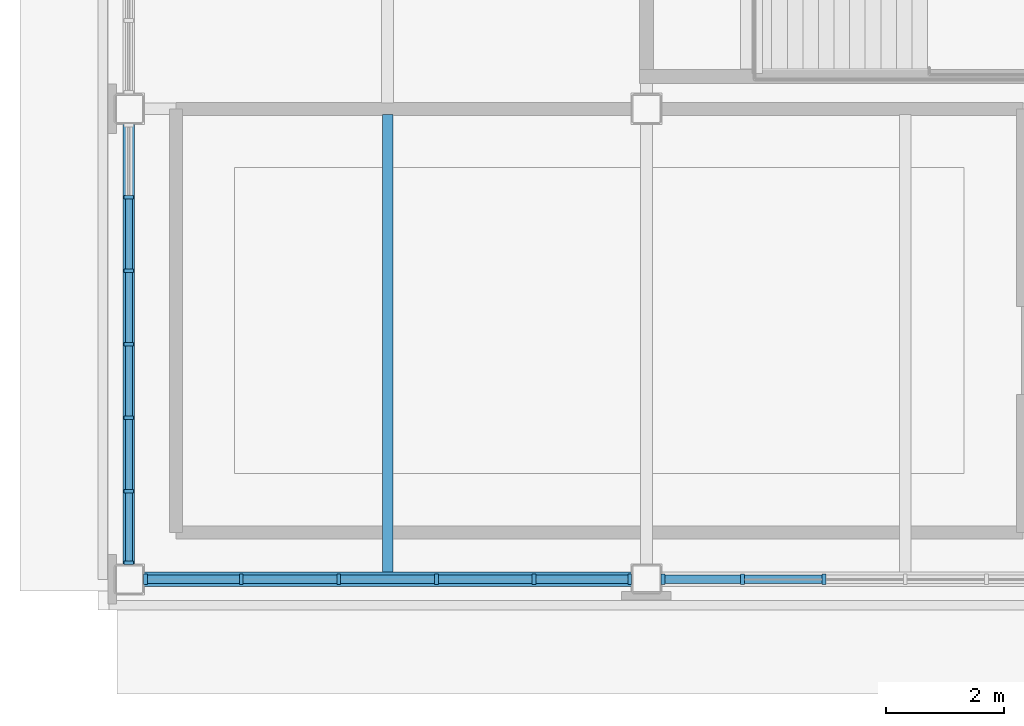
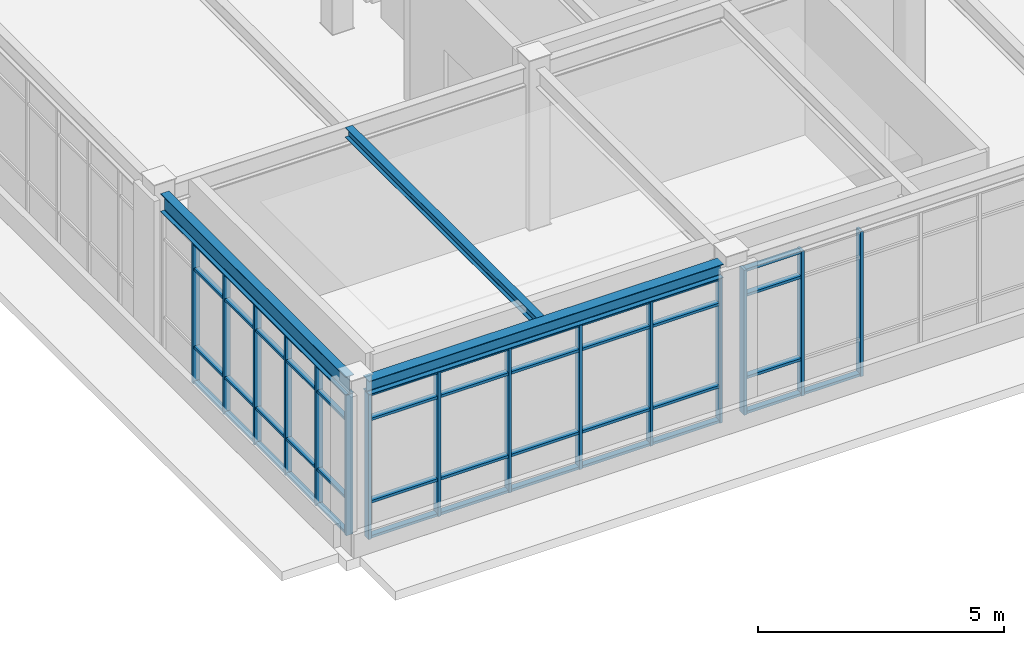
# One storey, part 2 of 22: 60 members, 3 beams, 3 elements without a shape of their own.
"""IFC4 building model written with IfcOpenShell, lengths in metres."""

from ifc_helpers import new_model, si_unit, direction, frame, origin, origin_2d, place, context, subcontext, project, spatial, rectangle, i_section, extrude, material, material_profile, profile_set, type_object, element, aggregate, save


model = new_model("IFC4")

# Units and contexts
model_context = context("Model", 3, precision=1e-05, world=origin(), true_north=direction((0.0, 1.0)))
body_context = subcontext(model_context, "Body", "Model", "MODEL_VIEW")
ifc_project = project(units=[si_unit("LENGTHUNIT", "METRE"), si_unit("AREAUNIT", "SQUARE_METRE"), si_unit("VOLUMEUNIT", "CUBIC_METRE"), si_unit("PLANEANGLEUNIT", "RADIAN"), si_unit("MASSUNIT", "GRAM", prefix="KILO")], contexts=[model_context])

# Site, building, storey
site_placement = place(None, origin())
site = spatial("IfcSite", under=ifc_project, at=site_placement, CompositionType="ELEMENT")
building_placement = place(site_placement, origin())
building = spatial("IfcBuilding", under=site, at=building_placement, Name="Zhaolan Boulevard Law Courts", CompositionType="ELEMENT")
storey_placement = place(building_placement, frame((0.0, 0.0, 28.800048828125)))
storey = spatial("IfcBuildingStorey", under=building, at=storey_placement, Name="L06", CompositionType="ELEMENT", Elevation=28.800048828125)

# Curtain wall, members
ifc_material_1 = material(Name="Thermally broken aluminium and low-E glazing", Category="aluminium")
curtain_wall_type_1 = type_object("IfcCurtainWallType", Name="CURTAIN WALL M13", PredefinedType="USERDEFINED", material=ifc_material_1)
curtain_wall_1_placement = place(storey_placement, origin())
curtain_wall_1 = element("IfcCurtainWall", 1, at=curtain_wall_1_placement, inside=storey, type_object=curtain_wall_type_1, Name="Curtain Wall CW-L06-229", ObjectType="CURTAIN WALL", PredefinedType="USERDEFINED")
ifc_material_2 = material(Name="Fluorocarbon-coated aluminium 6063-T6", Category="aluminium")
ifc_material_profile_1 = material_profile(ifc_material_2, rectangle(XDim=0.159912109375, YDim=0.06005859375, at=origin_2d()), Name="AL60x160")
ifc_profile_set_1 = profile_set([ifc_material_profile_1], Name="Fluorocarbon-coated aluminium 6063-T6")
member_type_1 = type_object("IfcMemberType", Name="CWMULLION 60X160", PredefinedType="MULLION", material=ifc_profile_set_1)
member_1_placement = place(storey_placement, frame((0.0, 36.498779296875, 0.0), z_axis=(0.0, 0.0, 1.0), x_axis=(1.0, 0.0, 0.0)))
member_1 = element("IfcMember", 2, at=member_1_placement, type_object=member_type_1, Name="CW-L06-229 mullion 2", PredefinedType="MULLION", context=body_context, shape_type="SweptSolid", body=[
    extrude(rectangle(XDim=0.159912109375, YDim=0.06005859375, at=origin_2d()), origin(), (0.0, 0.0, 1.0), 3.48291015625),
])
member_2_placement = place(storey_placement, frame((0.0, 35.249267578125, 0.0), z_axis=(0.0, 0.0, 1.0), x_axis=(1.0, 0.0, 0.0)))
member_2 = element("IfcMember", 3, at=member_2_placement, type_object=member_type_1, Name="CW-L06-229 mullion 3", PredefinedType="MULLION", context=body_context, shape_type="SweptSolid", body=[
    extrude(rectangle(XDim=0.159912109375, YDim=0.06005859375, at=origin_2d()), origin(), (0.0, 0.0, 1.0), 3.48291015625),
])
member_3_placement = place(storey_placement, frame((0.0, 34.0, 0.0), z_axis=(0.0, 0.0, 1.0), x_axis=(1.0, 0.0, 0.0)))
member_3 = element("IfcMember", 4, at=member_3_placement, type_object=member_type_1, Name="CW-L06-229 mullion 4", PredefinedType="MULLION", context=body_context, shape_type="SweptSolid", body=[
    extrude(rectangle(XDim=0.159912109375, YDim=0.06005859375, at=origin_2d()), origin(), (0.0, 0.0, 1.0), 3.48291015625),
])
member_4_placement = place(storey_placement, frame((0.0, 32.750732421875, 0.0), z_axis=(0.0, 0.0, 1.0), x_axis=(1.0, 0.0, 0.0)))
member_4 = element("IfcMember", 5, at=member_4_placement, type_object=member_type_1, Name="CW-L06-229 mullion 5", PredefinedType="MULLION", context=body_context, shape_type="SweptSolid", body=[
    extrude(rectangle(XDim=0.159912109375, YDim=0.06005859375, at=origin_2d()), origin(), (0.0, 0.0, 1.0), 3.48291015625),
])
member_5_placement = place(storey_placement, frame((0.0, 31.501220703125, 0.0), z_axis=(0.0, 0.0, 1.0), x_axis=(1.0, 0.0, 0.0)))
member_5 = element("IfcMember", 6, at=member_5_placement, type_object=member_type_1, Name="CW-L06-229 mullion 6", PredefinedType="MULLION", context=body_context, shape_type="SweptSolid", body=[
    extrude(rectangle(XDim=0.159912109375, YDim=0.06005859375, at=origin_2d()), origin(), (0.0, 0.0, 1.0), 3.48291015625),
])
member_6_placement = place(storey_placement, frame((0.0, 30.281982421875, 0.0), z_axis=(0.0, 0.0, 1.0), x_axis=(1.0, 0.0, 0.0)))
member_6 = element("IfcMember", 7, at=member_6_placement, type_object=member_type_1, Name="CW-L06-229 mullion 7", PredefinedType="MULLION", context=body_context, shape_type="SweptSolid", body=[
    extrude(rectangle(XDim=0.159912109375, YDim=0.06005859375, at=origin_2d()), origin(), (0.0, 0.0, 1.0), 3.48291015625),
])

ifc_material_3 = material(Name="Thermally broken aluminium and low-E glazing", Category="aluminium")
curtain_wall_type_2 = type_object("IfcCurtainWallType", Name="CURTAIN WALL M8", PredefinedType="USERDEFINED", material=ifc_material_3)
curtain_wall_2_placement = place(storey_placement, origin())
curtain_wall_2 = element("IfcCurtainWall", 8, at=curtain_wall_2_placement, inside=storey, type_object=curtain_wall_type_2, Name="Curtain Wall CW-L06-224", ObjectType="CURTAIN WALL", PredefinedType="USERDEFINED")
ifc_material_4 = material(Name="Fluorocarbon-coated aluminium 6063-T6", Category="aluminium")
ifc_material_profile_2 = material_profile(ifc_material_4, rectangle(XDim=0.179931640625, YDim=0.06494140625, at=origin_2d()), Name="AL65x180")
ifc_profile_set_2 = profile_set([ifc_material_profile_2], Name="Fluorocarbon-coated aluminium 6063-T6")
member_type_2 = type_object("IfcMemberType", Name="CWMULLION 65X180", PredefinedType="MULLION", material=ifc_profile_set_2)
member_7_placement = place(storey_placement, frame((0.284423828125, 30.0, 0.0), z_axis=(0.0, 0.0, 1.0), x_axis=(0.0, 1.0, 0.0)))
member_7 = element("IfcMember", 9, at=member_7_placement, type_object=member_type_2, Name="CW-L06-224 mullion 1", PredefinedType="MULLION", context=body_context, shape_type="SweptSolid", body=[
    extrude(rectangle(XDim=0.179931640625, YDim=0.06494140625, at=origin_2d()), origin(), (0.0, 0.0, 1.0), 3.593017578125),
])
member_8_placement = place(storey_placement, frame((1.9111328125, 30.0, 0.0), z_axis=(0.0, 0.0, 1.0), x_axis=(0.0, 1.0, 0.0)))
member_8 = element("IfcMember", 10, at=member_8_placement, type_object=member_type_2, Name="CW-L06-224 mullion 2", PredefinedType="MULLION", context=body_context, shape_type="SweptSolid", body=[
    extrude(rectangle(XDim=0.179931640625, YDim=0.06494140625, at=origin_2d()), origin(), (0.0, 0.0, 1.0), 3.593017578125),
])
member_9_placement = place(storey_placement, frame((3.5703125, 30.0, 0.0), z_axis=(0.0, 0.0, 1.0), x_axis=(0.0, 1.0, 0.0)))
member_9 = element("IfcMember", 11, at=member_9_placement, type_object=member_type_2, Name="CW-L06-224 mullion 3", PredefinedType="MULLION", context=body_context, shape_type="SweptSolid", body=[
    extrude(rectangle(XDim=0.179931640625, YDim=0.06494140625, at=origin_2d()), origin(), (0.0, 0.0, 1.0), 3.593017578125),
])
member_10_placement = place(storey_placement, frame((5.2294921875, 30.0, 0.0), z_axis=(0.0, 0.0, 1.0), x_axis=(0.0, 1.0, 0.0)))
member_10 = element("IfcMember", 12, at=member_10_placement, type_object=member_type_2, Name="CW-L06-224 mullion 4", PredefinedType="MULLION", context=body_context, shape_type="SweptSolid", body=[
    extrude(rectangle(XDim=0.179931640625, YDim=0.06494140625, at=origin_2d()), origin(), (0.0, 0.0, 1.0), 3.593017578125),
])
member_11_placement = place(storey_placement, frame((6.888916015625, 30.0, 0.0), z_axis=(0.0, 0.0, 1.0), x_axis=(0.0, 1.0, 0.0)))
member_11 = element("IfcMember", 13, at=member_11_placement, type_object=member_type_2, Name="CW-L06-224 mullion 5", PredefinedType="MULLION", context=body_context, shape_type="SweptSolid", body=[
    extrude(rectangle(XDim=0.179931640625, YDim=0.06494140625, at=origin_2d()), origin(), (0.0, 0.0, 1.0), 3.593017578125),
])
member_12_placement = place(storey_placement, frame((8.515380859375, 30.0, 0.0), z_axis=(0.0, 0.0, 1.0), x_axis=(0.0, 1.0, 0.0)))
member_12 = element("IfcMember", 14, at=member_12_placement, type_object=member_type_2, Name="CW-L06-224 mullion 6", PredefinedType="MULLION", context=body_context, shape_type="SweptSolid", body=[
    extrude(rectangle(XDim=0.179931640625, YDim=0.06494140625, at=origin_2d()), origin(), (0.0, 0.0, 1.0), 3.593017578125),
])

ifc_material_5 = material(Name="Thermally broken aluminium and low-E glazing", Category="aluminium")
curtain_wall_type_3 = type_object("IfcCurtainWallType", Name="CURTAIN WALL M9", PredefinedType="USERDEFINED", material=ifc_material_5)
curtain_wall_3_placement = place(storey_placement, origin())
curtain_wall_3 = element("IfcCurtainWall", 15, at=curtain_wall_3_placement, inside=storey, type_object=curtain_wall_type_3, Name="Curtain Wall CW-L06-225", ObjectType="CURTAIN WALL", PredefinedType="USERDEFINED")
member_13_placement = place(storey_placement, frame((9.08447265625, 30.0, 0.0), z_axis=(0.0, 0.0, 1.0), x_axis=(0.0, 1.0, 0.0)))
member_13 = element("IfcMember", 16, at=member_13_placement, type_object=member_type_2, Name="CW-L06-225 mullion 1", PredefinedType="MULLION", context=body_context, shape_type="SweptSolid", body=[
    extrude(rectangle(XDim=0.179931640625, YDim=0.06494140625, at=origin_2d()), origin(), (0.0, 0.0, 1.0), 3.593017578125),
])
member_14_placement = place(storey_placement, frame((10.4345703125, 30.0, 0.0), z_axis=(0.0, 0.0, 1.0), x_axis=(0.0, 1.0, 0.0)))
member_14 = element("IfcMember", 17, at=member_14_placement, type_object=member_type_2, Name="CW-L06-225 mullion 2", PredefinedType="MULLION", context=body_context, shape_type="SweptSolid", body=[
    extrude(rectangle(XDim=0.179931640625, YDim=0.06494140625, at=origin_2d()), origin(), (0.0, 0.0, 1.0), 3.593017578125),
])
member_15_placement = place(storey_placement, frame((11.8173828125, 30.0, 0.0), z_axis=(0.0, 0.0, 1.0), x_axis=(0.0, 1.0, 0.0)))
member_15 = element("IfcMember", 18, at=member_15_placement, type_object=member_type_2, Name="CW-L06-225 mullion 3", PredefinedType="MULLION", context=body_context, shape_type="SweptSolid", body=[
    extrude(rectangle(XDim=0.179931640625, YDim=0.06494140625, at=origin_2d()), origin(), (0.0, 0.0, 1.0), 3.593017578125),
])

# Member
ifc_material_6 = material(Name="Fluorocarbon-coated aluminium 6063-T6", Category="aluminium")
ifc_material_profile_3 = material_profile(ifc_material_6, rectangle(XDim=0.1201171875, YDim=0.06005859375, at=origin_2d()), Name="AL60x120")
ifc_profile_set_3 = profile_set([ifc_material_profile_3], Name="Fluorocarbon-coated aluminium 6063-T6")
member_type_3 = type_object("IfcMemberType", Name="CWTRANSOM 60X120", PredefinedType="USERDEFINED", material=ifc_profile_set_3)
member_16_placement = place(storey_placement, frame((0.0, 36.46875, 0.030029296875), z_axis=(0.0, -1.0, 0.0), x_axis=(1.0, 0.0, 0.0)))
member_16 = element("IfcMember", 19, at=member_16_placement, type_object=member_type_3, Name="CW-L06-229 transom 2.1", ObjectType="TRANSOM", PredefinedType="USERDEFINED", context=body_context, shape_type="SweptSolid", body=[
    extrude(rectangle(XDim=0.1201171875, YDim=0.06005859375, at=origin_2d()), origin(), (0.0, 0.0, 1.0), 1.189453125),
])

member_17_placement = place(storey_placement, frame((0.0, 36.46875, 0.89990234375), z_axis=(0.0, -1.0, 0.0), x_axis=(1.0, 0.0, 0.0)))
member_17 = element("IfcMember", 20, at=member_17_placement, type_object=member_type_3, Name="CW-L06-229 transom 2.2", ObjectType="TRANSOM", PredefinedType="USERDEFINED", context=body_context, shape_type="SweptSolid", body=[
    extrude(rectangle(XDim=0.1201171875, YDim=0.06005859375, at=origin_2d()), origin(), (0.0, 0.0, 1.0), 1.189453125),
])

member_18_placement = place(storey_placement, frame((0.0, 36.46875, 2.8330078125), z_axis=(0.0, -1.0, 0.0), x_axis=(1.0, 0.0, 0.0)))
member_18 = element("IfcMember", 21, at=member_18_placement, type_object=member_type_3, Name="CW-L06-229 transom 2.3", ObjectType="TRANSOM", PredefinedType="USERDEFINED", context=body_context, shape_type="SweptSolid", body=[
    extrude(rectangle(XDim=0.1201171875, YDim=0.06005859375, at=origin_2d()), origin(), (0.0, 0.0, 1.0), 1.189453125),
])

member_19_placement = place(storey_placement, frame((0.0, 36.46875, 3.452880859375), z_axis=(0.0, -1.0, 0.0), x_axis=(1.0, 0.0, 0.0)))
member_19 = element("IfcMember", 22, at=member_19_placement, type_object=member_type_3, Name="CW-L06-229 transom 2.4", ObjectType="TRANSOM", PredefinedType="USERDEFINED", context=body_context, shape_type="SweptSolid", body=[
    extrude(rectangle(XDim=0.1201171875, YDim=0.06005859375, at=origin_2d()), origin(), (0.0, 0.0, 1.0), 1.189453125),
])

member_20_placement = place(storey_placement, frame((0.0, 35.21923828125, 0.030029296875), z_axis=(0.0, -1.0, 0.0), x_axis=(1.0, 0.0, 0.0)))
member_20 = element("IfcMember", 23, at=member_20_placement, type_object=member_type_3, Name="CW-L06-229 transom 3.1", ObjectType="TRANSOM", PredefinedType="USERDEFINED", context=body_context, shape_type="SweptSolid", body=[
    extrude(rectangle(XDim=0.1201171875, YDim=0.06005859375, at=origin_2d()), origin(), (0.0, 0.0, 1.0), 1.189208984375),
])

member_21_placement = place(storey_placement, frame((0.0, 35.21923828125, 0.89990234375), z_axis=(0.0, -1.0, 0.0), x_axis=(1.0, 0.0, 0.0)))
member_21 = element("IfcMember", 24, at=member_21_placement, type_object=member_type_3, Name="CW-L06-229 transom 3.2", ObjectType="TRANSOM", PredefinedType="USERDEFINED", context=body_context, shape_type="SweptSolid", body=[
    extrude(rectangle(XDim=0.1201171875, YDim=0.06005859375, at=origin_2d()), origin(), (0.0, 0.0, 1.0), 1.189208984375),
])

member_22_placement = place(storey_placement, frame((0.0, 35.21923828125, 2.8330078125), z_axis=(0.0, -1.0, 0.0), x_axis=(1.0, 0.0, 0.0)))
member_22 = element("IfcMember", 25, at=member_22_placement, type_object=member_type_3, Name="CW-L06-229 transom 3.3", ObjectType="TRANSOM", PredefinedType="USERDEFINED", context=body_context, shape_type="SweptSolid", body=[
    extrude(rectangle(XDim=0.1201171875, YDim=0.06005859375, at=origin_2d()), origin(), (0.0, 0.0, 1.0), 1.189208984375),
])

member_23_placement = place(storey_placement, frame((0.0, 35.21923828125, 3.452880859375), z_axis=(0.0, -1.0, 0.0), x_axis=(1.0, 0.0, 0.0)))
member_23 = element("IfcMember", 26, at=member_23_placement, type_object=member_type_3, Name="CW-L06-229 transom 3.4", ObjectType="TRANSOM", PredefinedType="USERDEFINED", context=body_context, shape_type="SweptSolid", body=[
    extrude(rectangle(XDim=0.1201171875, YDim=0.06005859375, at=origin_2d()), origin(), (0.0, 0.0, 1.0), 1.189208984375),
])

member_24_placement = place(storey_placement, frame((0.0, 33.969970703125, 0.030029296875), z_axis=(0.0, -1.0, 0.0), x_axis=(1.0, 0.0, 0.0)))
member_24 = element("IfcMember", 27, at=member_24_placement, type_object=member_type_3, Name="CW-L06-229 transom 4.1", ObjectType="TRANSOM", PredefinedType="USERDEFINED", context=body_context, shape_type="SweptSolid", body=[
    extrude(rectangle(XDim=0.1201171875, YDim=0.06005859375, at=origin_2d()), origin(), (0.0, 0.0, 1.0), 1.189208984375),
])

member_25_placement = place(storey_placement, frame((0.0, 33.969970703125, 0.89990234375), z_axis=(0.0, -1.0, 0.0), x_axis=(1.0, 0.0, 0.0)))
member_25 = element("IfcMember", 28, at=member_25_placement, type_object=member_type_3, Name="CW-L06-229 transom 4.2", ObjectType="TRANSOM", PredefinedType="USERDEFINED", context=body_context, shape_type="SweptSolid", body=[
    extrude(rectangle(XDim=0.1201171875, YDim=0.06005859375, at=origin_2d()), origin(), (0.0, 0.0, 1.0), 1.189208984375),
])

member_26_placement = place(storey_placement, frame((0.0, 33.969970703125, 2.8330078125), z_axis=(0.0, -1.0, 0.0), x_axis=(1.0, 0.0, 0.0)))
member_26 = element("IfcMember", 29, at=member_26_placement, type_object=member_type_3, Name="CW-L06-229 transom 4.3", ObjectType="TRANSOM", PredefinedType="USERDEFINED", context=body_context, shape_type="SweptSolid", body=[
    extrude(rectangle(XDim=0.1201171875, YDim=0.06005859375, at=origin_2d()), origin(), (0.0, 0.0, 1.0), 1.189208984375),
])

member_27_placement = place(storey_placement, frame((0.0, 33.969970703125, 3.452880859375), z_axis=(0.0, -1.0, 0.0), x_axis=(1.0, 0.0, 0.0)))
member_27 = element("IfcMember", 30, at=member_27_placement, type_object=member_type_3, Name="CW-L06-229 transom 4.4", ObjectType="TRANSOM", PredefinedType="USERDEFINED", context=body_context, shape_type="SweptSolid", body=[
    extrude(rectangle(XDim=0.1201171875, YDim=0.06005859375, at=origin_2d()), origin(), (0.0, 0.0, 1.0), 1.189208984375),
])

member_28_placement = place(storey_placement, frame((0.0, 32.720703125, 0.030029296875), z_axis=(0.0, -1.0, 0.0), x_axis=(1.0, 0.0, 0.0)))
member_28 = element("IfcMember", 31, at=member_28_placement, type_object=member_type_3, Name="CW-L06-229 transom 5.1", ObjectType="TRANSOM", PredefinedType="USERDEFINED", context=body_context, shape_type="SweptSolid", body=[
    extrude(rectangle(XDim=0.1201171875, YDim=0.06005859375, at=origin_2d()), origin(), (0.0, 0.0, 1.0), 1.189453125),
])

member_29_placement = place(storey_placement, frame((0.0, 32.720703125, 0.89990234375), z_axis=(0.0, -1.0, 0.0), x_axis=(1.0, 0.0, 0.0)))
member_29 = element("IfcMember", 32, at=member_29_placement, type_object=member_type_3, Name="CW-L06-229 transom 5.2", ObjectType="TRANSOM", PredefinedType="USERDEFINED", context=body_context, shape_type="SweptSolid", body=[
    extrude(rectangle(XDim=0.1201171875, YDim=0.06005859375, at=origin_2d()), origin(), (0.0, 0.0, 1.0), 1.189453125),
])

member_30_placement = place(storey_placement, frame((0.0, 32.720703125, 2.8330078125), z_axis=(0.0, -1.0, 0.0), x_axis=(1.0, 0.0, 0.0)))
member_30 = element("IfcMember", 33, at=member_30_placement, type_object=member_type_3, Name="CW-L06-229 transom 5.3", ObjectType="TRANSOM", PredefinedType="USERDEFINED", context=body_context, shape_type="SweptSolid", body=[
    extrude(rectangle(XDim=0.1201171875, YDim=0.06005859375, at=origin_2d()), origin(), (0.0, 0.0, 1.0), 1.189453125),
])

member_31_placement = place(storey_placement, frame((0.0, 32.720703125, 3.452880859375), z_axis=(0.0, -1.0, 0.0), x_axis=(1.0, 0.0, 0.0)))
member_31 = element("IfcMember", 34, at=member_31_placement, type_object=member_type_3, Name="CW-L06-229 transom 5.4", ObjectType="TRANSOM", PredefinedType="USERDEFINED", context=body_context, shape_type="SweptSolid", body=[
    extrude(rectangle(XDim=0.1201171875, YDim=0.06005859375, at=origin_2d()), origin(), (0.0, 0.0, 1.0), 1.189453125),
])

member_32_placement = place(storey_placement, frame((0.0, 31.471435546875, 0.030029296875), z_axis=(0.0, -1.0, 0.0), x_axis=(1.0, 0.0, 0.0)))
member_32 = element("IfcMember", 35, at=member_32_placement, type_object=member_type_3, Name="CW-L06-229 transom 6.1", ObjectType="TRANSOM", PredefinedType="USERDEFINED", context=body_context, shape_type="SweptSolid", body=[
    extrude(rectangle(XDim=0.1201171875, YDim=0.06005859375, at=origin_2d()), origin(), (0.0, 0.0, 1.0), 1.159423828125),
])

member_33_placement = place(storey_placement, frame((0.0, 31.471435546875, 0.89990234375), z_axis=(0.0, -1.0, 0.0), x_axis=(1.0, 0.0, 0.0)))
member_33 = element("IfcMember", 36, at=member_33_placement, type_object=member_type_3, Name="CW-L06-229 transom 6.2", ObjectType="TRANSOM", PredefinedType="USERDEFINED", context=body_context, shape_type="SweptSolid", body=[
    extrude(rectangle(XDim=0.1201171875, YDim=0.06005859375, at=origin_2d()), origin(), (0.0, 0.0, 1.0), 1.159423828125),
])

member_34_placement = place(storey_placement, frame((0.0, 31.471435546875, 2.8330078125), z_axis=(0.0, -1.0, 0.0), x_axis=(1.0, 0.0, 0.0)))
member_34 = element("IfcMember", 37, at=member_34_placement, type_object=member_type_3, Name="CW-L06-229 transom 6.3", ObjectType="TRANSOM", PredefinedType="USERDEFINED", context=body_context, shape_type="SweptSolid", body=[
    extrude(rectangle(XDim=0.1201171875, YDim=0.06005859375, at=origin_2d()), origin(), (0.0, 0.0, 1.0), 1.159423828125),
])

member_35_placement = place(storey_placement, frame((0.0, 31.471435546875, 3.452880859375), z_axis=(0.0, -1.0, 0.0), x_axis=(1.0, 0.0, 0.0)))
member_35 = element("IfcMember", 38, at=member_35_placement, type_object=member_type_3, Name="CW-L06-229 transom 6.4", ObjectType="TRANSOM", PredefinedType="USERDEFINED", context=body_context, shape_type="SweptSolid", body=[
    extrude(rectangle(XDim=0.1201171875, YDim=0.06005859375, at=origin_2d()), origin(), (0.0, 0.0, 1.0), 1.159423828125),
])

aggregate(curtain_wall_1, [member_1, member_2, member_3, member_4, member_5, member_6, member_16, member_17, member_18, member_19, member_20, member_21, member_22, member_23, member_24, member_25, member_26, member_27, member_28, member_29, member_30, member_31, member_32, member_33, member_34, member_35])

ifc_material_7 = material(Name="Fluorocarbon-coated aluminium 6063-T6", Category="aluminium")
ifc_material_profile_4 = material_profile(ifc_material_7, rectangle(XDim=0.139892578125, YDim=0.06494140625, at=origin_2d()), Name="AL65x140")
ifc_profile_set_4 = profile_set([ifc_material_profile_4], Name="Fluorocarbon-coated aluminium 6063-T6")
member_type_4 = type_object("IfcMemberType", Name="CWTRANSOM 65X140", PredefinedType="USERDEFINED", material=ifc_profile_set_4)
member_36_placement = place(storey_placement, frame((0.31689453125, 30.0, 0.032470703125), z_axis=(1.0, 0.0, 0.0), x_axis=(0.0, 1.0, 0.0)))
member_36 = element("IfcMember", 39, at=member_36_placement, type_object=member_type_4, Name="CW-L06-224 transom 1.1", ObjectType="TRANSOM", PredefinedType="USERDEFINED", context=body_context, shape_type="SweptSolid", body=[
    extrude(rectangle(XDim=0.139892578125, YDim=0.06494140625, at=origin_2d()), origin(), (0.0, 0.0, 1.0), 1.561767578125),
])

member_37_placement = place(storey_placement, frame((0.31689453125, 30.0, 0.89990234375), z_axis=(1.0, 0.0, 0.0), x_axis=(0.0, 1.0, 0.0)))
member_37 = element("IfcMember", 40, at=member_37_placement, type_object=member_type_4, Name="CW-L06-224 transom 1.2", ObjectType="TRANSOM", PredefinedType="USERDEFINED", context=body_context, shape_type="SweptSolid", body=[
    extrude(rectangle(XDim=0.139892578125, YDim=0.06494140625, at=origin_2d()), origin(), (0.0, 0.0, 1.0), 1.561767578125),
])

member_38_placement = place(storey_placement, frame((0.31689453125, 30.0, 2.94287109375), z_axis=(1.0, 0.0, 0.0), x_axis=(0.0, 1.0, 0.0)))
member_38 = element("IfcMember", 41, at=member_38_placement, type_object=member_type_4, Name="CW-L06-224 transom 1.3", ObjectType="TRANSOM", PredefinedType="USERDEFINED", context=body_context, shape_type="SweptSolid", body=[
    extrude(rectangle(XDim=0.139892578125, YDim=0.06494140625, at=origin_2d()), origin(), (0.0, 0.0, 1.0), 1.561767578125),
])

member_39_placement = place(storey_placement, frame((0.31689453125, 30.0, 3.560546875), z_axis=(1.0, 0.0, 0.0), x_axis=(0.0, 1.0, 0.0)))
member_39 = element("IfcMember", 42, at=member_39_placement, type_object=member_type_4, Name="CW-L06-224 transom 1.4", ObjectType="TRANSOM", PredefinedType="USERDEFINED", context=body_context, shape_type="SweptSolid", body=[
    extrude(rectangle(XDim=0.139892578125, YDim=0.06494140625, at=origin_2d()), origin(), (0.0, 0.0, 1.0), 1.561767578125),
])

member_40_placement = place(storey_placement, frame((1.943603515625, 30.0, 0.032470703125), z_axis=(1.0, 0.0, 0.0), x_axis=(0.0, 1.0, 0.0)))
member_40 = element("IfcMember", 43, at=member_40_placement, type_object=member_type_4, Name="CW-L06-224 transom 2.1", ObjectType="TRANSOM", PredefinedType="USERDEFINED", context=body_context, shape_type="SweptSolid", body=[
    extrude(rectangle(XDim=0.139892578125, YDim=0.06494140625, at=origin_2d()), origin(), (0.0, 0.0, 1.0), 1.59423828125),
])

member_41_placement = place(storey_placement, frame((1.943603515625, 30.0, 0.89990234375), z_axis=(1.0, 0.0, 0.0), x_axis=(0.0, 1.0, 0.0)))
member_41 = element("IfcMember", 44, at=member_41_placement, type_object=member_type_4, Name="CW-L06-224 transom 2.2", ObjectType="TRANSOM", PredefinedType="USERDEFINED", context=body_context, shape_type="SweptSolid", body=[
    extrude(rectangle(XDim=0.139892578125, YDim=0.06494140625, at=origin_2d()), origin(), (0.0, 0.0, 1.0), 1.59423828125),
])

member_42_placement = place(storey_placement, frame((1.943603515625, 30.0, 2.94287109375), z_axis=(1.0, 0.0, 0.0), x_axis=(0.0, 1.0, 0.0)))
member_42 = element("IfcMember", 45, at=member_42_placement, type_object=member_type_4, Name="CW-L06-224 transom 2.3", ObjectType="TRANSOM", PredefinedType="USERDEFINED", context=body_context, shape_type="SweptSolid", body=[
    extrude(rectangle(XDim=0.139892578125, YDim=0.06494140625, at=origin_2d()), origin(), (0.0, 0.0, 1.0), 1.59423828125),
])

member_43_placement = place(storey_placement, frame((1.943603515625, 30.0, 3.560546875), z_axis=(1.0, 0.0, 0.0), x_axis=(0.0, 1.0, 0.0)))
member_43 = element("IfcMember", 46, at=member_43_placement, type_object=member_type_4, Name="CW-L06-224 transom 2.4", ObjectType="TRANSOM", PredefinedType="USERDEFINED", context=body_context, shape_type="SweptSolid", body=[
    extrude(rectangle(XDim=0.139892578125, YDim=0.06494140625, at=origin_2d()), origin(), (0.0, 0.0, 1.0), 1.59423828125),
])

member_44_placement = place(storey_placement, frame((3.602783203125, 30.0, 0.032470703125), z_axis=(1.0, 0.0, 0.0), x_axis=(0.0, 1.0, 0.0)))
member_44 = element("IfcMember", 47, at=member_44_placement, type_object=member_type_4, Name="CW-L06-224 transom 3.1", ObjectType="TRANSOM", PredefinedType="USERDEFINED", context=body_context, shape_type="SweptSolid", body=[
    extrude(rectangle(XDim=0.139892578125, YDim=0.06494140625, at=origin_2d()), origin(), (0.0, 0.0, 1.0), 1.59423828125),
])

member_45_placement = place(storey_placement, frame((3.602783203125, 30.0, 0.89990234375), z_axis=(1.0, 0.0, 0.0), x_axis=(0.0, 1.0, 0.0)))
member_45 = element("IfcMember", 48, at=member_45_placement, type_object=member_type_4, Name="CW-L06-224 transom 3.2", ObjectType="TRANSOM", PredefinedType="USERDEFINED", context=body_context, shape_type="SweptSolid", body=[
    extrude(rectangle(XDim=0.139892578125, YDim=0.06494140625, at=origin_2d()), origin(), (0.0, 0.0, 1.0), 1.59423828125),
])

member_46_placement = place(storey_placement, frame((3.602783203125, 30.0, 2.94287109375), z_axis=(1.0, 0.0, 0.0), x_axis=(0.0, 1.0, 0.0)))
member_46 = element("IfcMember", 49, at=member_46_placement, type_object=member_type_4, Name="CW-L06-224 transom 3.3", ObjectType="TRANSOM", PredefinedType="USERDEFINED", context=body_context, shape_type="SweptSolid", body=[
    extrude(rectangle(XDim=0.139892578125, YDim=0.06494140625, at=origin_2d()), origin(), (0.0, 0.0, 1.0), 1.59423828125),
])

member_47_placement = place(storey_placement, frame((3.602783203125, 30.0, 3.560546875), z_axis=(1.0, 0.0, 0.0), x_axis=(0.0, 1.0, 0.0)))
member_47 = element("IfcMember", 50, at=member_47_placement, type_object=member_type_4, Name="CW-L06-224 transom 3.4", ObjectType="TRANSOM", PredefinedType="USERDEFINED", context=body_context, shape_type="SweptSolid", body=[
    extrude(rectangle(XDim=0.139892578125, YDim=0.06494140625, at=origin_2d()), origin(), (0.0, 0.0, 1.0), 1.59423828125),
])

member_48_placement = place(storey_placement, frame((5.26220703125, 30.0, 0.032470703125), z_axis=(1.0, 0.0, 0.0), x_axis=(0.0, 1.0, 0.0)))
member_48 = element("IfcMember", 51, at=member_48_placement, type_object=member_type_4, Name="CW-L06-224 transom 4.1", ObjectType="TRANSOM", PredefinedType="USERDEFINED", context=body_context, shape_type="SweptSolid", body=[
    extrude(rectangle(XDim=0.139892578125, YDim=0.06494140625, at=origin_2d()), origin(), (0.0, 0.0, 1.0), 1.593994140625),
])

member_49_placement = place(storey_placement, frame((5.26220703125, 30.0, 0.89990234375), z_axis=(1.0, 0.0, 0.0), x_axis=(0.0, 1.0, 0.0)))
member_49 = element("IfcMember", 52, at=member_49_placement, type_object=member_type_4, Name="CW-L06-224 transom 4.2", ObjectType="TRANSOM", PredefinedType="USERDEFINED", context=body_context, shape_type="SweptSolid", body=[
    extrude(rectangle(XDim=0.139892578125, YDim=0.06494140625, at=origin_2d()), origin(), (0.0, 0.0, 1.0), 1.593994140625),
])

member_50_placement = place(storey_placement, frame((5.26220703125, 30.0, 2.94287109375), z_axis=(1.0, 0.0, 0.0), x_axis=(0.0, 1.0, 0.0)))
member_50 = element("IfcMember", 53, at=member_50_placement, type_object=member_type_4, Name="CW-L06-224 transom 4.3", ObjectType="TRANSOM", PredefinedType="USERDEFINED", context=body_context, shape_type="SweptSolid", body=[
    extrude(rectangle(XDim=0.139892578125, YDim=0.06494140625, at=origin_2d()), origin(), (0.0, 0.0, 1.0), 1.593994140625),
])

member_51_placement = place(storey_placement, frame((5.26220703125, 30.0, 3.560546875), z_axis=(1.0, 0.0, 0.0), x_axis=(0.0, 1.0, 0.0)))
member_51 = element("IfcMember", 54, at=member_51_placement, type_object=member_type_4, Name="CW-L06-224 transom 4.4", ObjectType="TRANSOM", PredefinedType="USERDEFINED", context=body_context, shape_type="SweptSolid", body=[
    extrude(rectangle(XDim=0.139892578125, YDim=0.06494140625, at=origin_2d()), origin(), (0.0, 0.0, 1.0), 1.593994140625),
])

member_52_placement = place(storey_placement, frame((6.92138671875, 30.0, 0.032470703125), z_axis=(1.0, 0.0, 0.0), x_axis=(0.0, 1.0, 0.0)))
member_52 = element("IfcMember", 55, at=member_52_placement, type_object=member_type_4, Name="CW-L06-224 transom 5.1", ObjectType="TRANSOM", PredefinedType="USERDEFINED", context=body_context, shape_type="SweptSolid", body=[
    extrude(rectangle(XDim=0.139892578125, YDim=0.06494140625, at=origin_2d()), origin(), (0.0, 0.0, 1.0), 1.5615234375),
])

member_53_placement = place(storey_placement, frame((6.92138671875, 30.0, 0.89990234375), z_axis=(1.0, 0.0, 0.0), x_axis=(0.0, 1.0, 0.0)))
member_53 = element("IfcMember", 56, at=member_53_placement, type_object=member_type_4, Name="CW-L06-224 transom 5.2", ObjectType="TRANSOM", PredefinedType="USERDEFINED", context=body_context, shape_type="SweptSolid", body=[
    extrude(rectangle(XDim=0.139892578125, YDim=0.06494140625, at=origin_2d()), origin(), (0.0, 0.0, 1.0), 1.5615234375),
])

member_54_placement = place(storey_placement, frame((6.92138671875, 30.0, 2.94287109375), z_axis=(1.0, 0.0, 0.0), x_axis=(0.0, 1.0, 0.0)))
member_54 = element("IfcMember", 57, at=member_54_placement, type_object=member_type_4, Name="CW-L06-224 transom 5.3", ObjectType="TRANSOM", PredefinedType="USERDEFINED", context=body_context, shape_type="SweptSolid", body=[
    extrude(rectangle(XDim=0.139892578125, YDim=0.06494140625, at=origin_2d()), origin(), (0.0, 0.0, 1.0), 1.5615234375),
])

member_55_placement = place(storey_placement, frame((6.92138671875, 30.0, 3.560546875), z_axis=(1.0, 0.0, 0.0), x_axis=(0.0, 1.0, 0.0)))
member_55 = element("IfcMember", 58, at=member_55_placement, type_object=member_type_4, Name="CW-L06-224 transom 5.4", ObjectType="TRANSOM", PredefinedType="USERDEFINED", context=body_context, shape_type="SweptSolid", body=[
    extrude(rectangle(XDim=0.139892578125, YDim=0.06494140625, at=origin_2d()), origin(), (0.0, 0.0, 1.0), 1.5615234375),
])

aggregate(curtain_wall_2, [member_7, member_8, member_9, member_10, member_11, member_12, member_36, member_37, member_38, member_39, member_40, member_41, member_42, member_43, member_44, member_45, member_46, member_47, member_48, member_49, member_50, member_51, member_52, member_53, member_54, member_55])

member_56_placement = place(storey_placement, frame((9.116943359375, 30.0, 0.032470703125), z_axis=(1.0, 0.0, 0.0), x_axis=(0.0, 1.0, 0.0)))
member_56 = element("IfcMember", 59, at=member_56_placement, type_object=member_type_4, Name="CW-L06-225 transom 1.1", ObjectType="TRANSOM", PredefinedType="USERDEFINED", context=body_context, shape_type="SweptSolid", body=[
    extrude(rectangle(XDim=0.139892578125, YDim=0.06494140625, at=origin_2d()), origin(), (0.0, 0.0, 1.0), 1.28515625),
])

member_57_placement = place(storey_placement, frame((9.116943359375, 30.0, 0.89990234375), z_axis=(1.0, 0.0, 0.0), x_axis=(0.0, 1.0, 0.0)))
member_57 = element("IfcMember", 60, at=member_57_placement, type_object=member_type_4, Name="CW-L06-225 transom 1.2", ObjectType="TRANSOM", PredefinedType="USERDEFINED", context=body_context, shape_type="SweptSolid", body=[
    extrude(rectangle(XDim=0.139892578125, YDim=0.06494140625, at=origin_2d()), origin(), (0.0, 0.0, 1.0), 1.28515625),
])

member_58_placement = place(storey_placement, frame((9.116943359375, 30.0, 2.94287109375), z_axis=(1.0, 0.0, 0.0), x_axis=(0.0, 1.0, 0.0)))
member_58 = element("IfcMember", 61, at=member_58_placement, type_object=member_type_4, Name="CW-L06-225 transom 1.3", ObjectType="TRANSOM", PredefinedType="USERDEFINED", context=body_context, shape_type="SweptSolid", body=[
    extrude(rectangle(XDim=0.139892578125, YDim=0.06494140625, at=origin_2d()), origin(), (0.0, 0.0, 1.0), 1.28515625),
])

member_59_placement = place(storey_placement, frame((9.116943359375, 30.0, 3.560546875), z_axis=(1.0, 0.0, 0.0), x_axis=(0.0, 1.0, 0.0)))
member_59 = element("IfcMember", 62, at=member_59_placement, type_object=member_type_4, Name="CW-L06-225 transom 1.4", ObjectType="TRANSOM", PredefinedType="USERDEFINED", context=body_context, shape_type="SweptSolid", body=[
    extrude(rectangle(XDim=0.139892578125, YDim=0.06494140625, at=origin_2d()), origin(), (0.0, 0.0, 1.0), 1.28515625),
])

member_60_placement = place(storey_placement, frame((10.46728515625, 30.0, 0.032470703125), z_axis=(1.0, 0.0, 0.0), x_axis=(0.0, 1.0, 0.0)))
member_60 = element("IfcMember", 63, at=member_60_placement, type_object=member_type_4, Name="CW-L06-225 transom 2.1", ObjectType="TRANSOM", PredefinedType="USERDEFINED", context=body_context, shape_type="SweptSolid", body=[
    extrude(rectangle(XDim=0.139892578125, YDim=0.06494140625, at=origin_2d()), origin(), (0.0, 0.0, 1.0), 1.317626953125),
])

aggregate(curtain_wall_3, [member_13, member_14, member_15, member_56, member_57, member_58, member_59, member_60])

# Beams
ifc_material_8 = material(Name="Structural steel Q355B", Category="steel")
ifc_material_profile_5 = material_profile(ifc_material_8, i_section(OverallWidth=0.199951171875, OverallDepth=0.449951171875, WebThickness=0.009033203125, FlangeThickness=0.013916015625, FilletRadius=0.01611328125, at=origin_2d()), Name="HN450x200")
ifc_profile_set_5 = profile_set([ifc_material_profile_5], Name="Structural steel Q355B")
beam_type_1 = type_object("IfcBeamType", Name="GIRDER HN450", PredefinedType="BEAM", material=ifc_profile_set_5)
beam_1_placement = place(storey_placement, frame((0.0, 30.24609375, 3.722900390625), z_axis=(0.0, 1.0, 0.0), x_axis=(-1.0, 0.0, 0.0)))
element("IfcBeam", 64, at=beam_1_placement, inside=storey, type_object=beam_type_1, Name="Beam BY-L07-1-E-F", PredefinedType="BEAM", context=body_context, shape_type="SweptSolid", body=[
    extrude(i_section(OverallWidth=0.199951171875, OverallDepth=0.449951171875, WebThickness=0.009033203125, FlangeThickness=0.013916015625, FilletRadius=0.01611328125, at=origin_2d()), origin(), (0.0, 0.0, 1.0), 7.5078125),
])
ifc_material_9 = material(Name="Structural steel Q355B", Category="steel")
ifc_material_profile_6 = material_profile(ifc_material_9, i_section(OverallWidth=0.175048828125, OverallDepth=0.243896484375, WebThickness=0.007080078125, FlangeThickness=0.010986328125, FilletRadius=0.012939453125, at=origin_2d()), Name="HM244x175")
ifc_profile_set_6 = profile_set([ifc_material_profile_6], Name="Structural steel Q355B")
beam_type_2 = type_object("IfcBeamType", Name="JOIST HM244", PredefinedType="JOIST", material=ifc_profile_set_6)
beam_2_placement = place(storey_placement, frame((4.39990234375, 30.12109375, 3.825927734375), z_axis=(0.0, 1.0, 0.0), x_axis=(-1.0, 0.0, 0.0)))
element("IfcBeam", 65, at=beam_2_placement, inside=storey, type_object=beam_type_2, Name="Composite Joist J-L07-1E", PredefinedType="JOIST", context=body_context, shape_type="SweptSolid", body=[
    extrude(i_section(OverallWidth=0.175048828125, OverallDepth=0.243896484375, WebThickness=0.007080078125, FlangeThickness=0.010986328125, FilletRadius=0.012939453125, at=origin_2d()), origin(), (0.0, 0.0, 1.0), 7.782958984375),
])
ifc_material_10 = material(Name="Structural steel Q355B", Category="steel")
ifc_material_profile_7 = material_profile(ifc_material_10, i_section(OverallWidth=0.25, OverallDepth=0.340087890625, WebThickness=0.009033203125, FlangeThickness=0.013916015625, FilletRadius=0.01611328125, at=origin_2d()), Name="HM340x250")
ifc_profile_set_7 = profile_set([ifc_material_profile_7], Name="Structural steel Q355B")
beam_type_3 = type_object("IfcBeamType", Name="SPANDREL HM340", PredefinedType="SPANDREL", material=ifc_profile_set_7)
beam_3_placement = place(storey_placement, frame((0.24609375, 30.0, 3.77783203125), z_axis=(1.0, 0.0, 0.0), x_axis=(0.0, 1.0, 0.0)))
element("IfcBeam", 66, at=beam_3_placement, inside=storey, type_object=beam_type_3, Name="Beam BX-L07-1-2-E", PredefinedType="SPANDREL", context=body_context, shape_type="SweptSolid", body=[
    extrude(i_section(OverallWidth=0.25, OverallDepth=0.340087890625, WebThickness=0.009033203125, FlangeThickness=0.013916015625, FilletRadius=0.01611328125, at=origin_2d()), origin(), (0.0, 0.0, 1.0), 8.307861328125),
])

save(model, "model.ifc")
